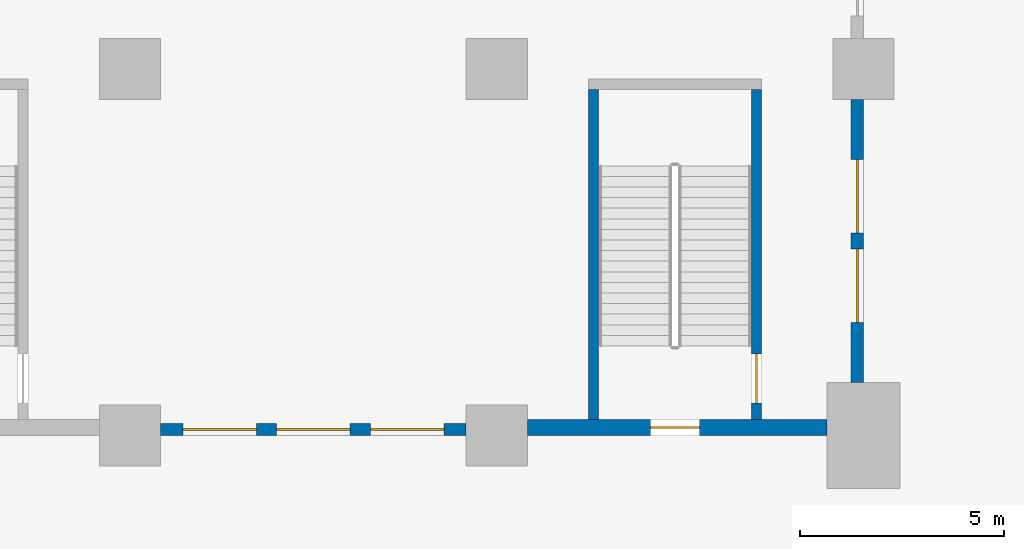
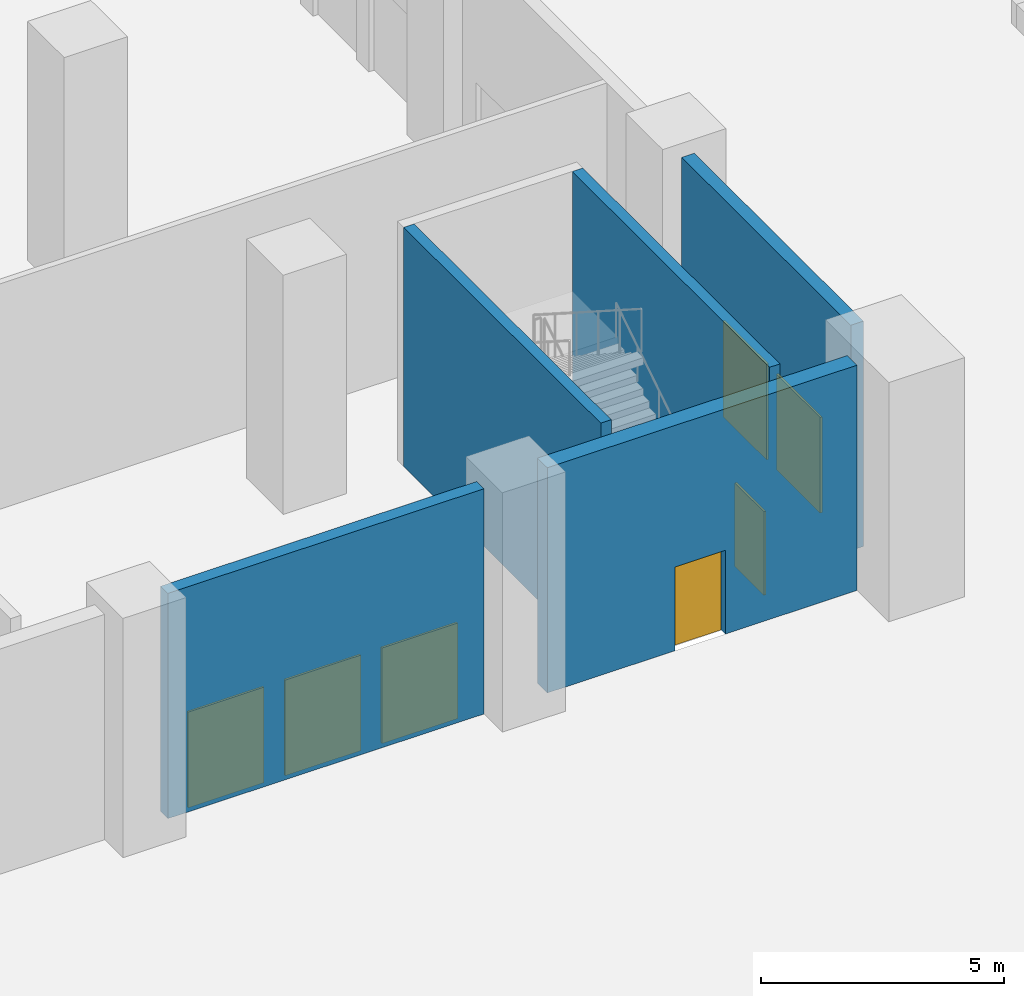
# One storey, part 15 of 47: 7 doors, 5 walls, 7 openings.
"""IFC4 building model written with IfcOpenShell, lengths in metres."""

from ifc_helpers import new_model, si_unit, direction, frame, frame_2d, origin, place, context, subcontext, project, spatial, rectangle, extrude, material, layer, layer_set, type_object, element, fill, save


model = new_model("IFC4")

# Units and contexts
model_context = context("Model", 3, precision=1e-05, world=origin(), true_north=direction((0.0, 1.0)))
body_context = subcontext(model_context, "Body", "Model", "MODEL_VIEW")
ifc_project = project(units=[si_unit("LENGTHUNIT", "METRE"), si_unit("AREAUNIT", "SQUARE_METRE"), si_unit("VOLUMEUNIT", "CUBIC_METRE"), si_unit("PLANEANGLEUNIT", "RADIAN"), si_unit("MASSUNIT", "GRAM", prefix="KILO")], contexts=[model_context])

# Site, building, storey
site_placement = place(None, origin())
site = spatial("IfcSite", under=ifc_project, at=site_placement, CompositionType="ELEMENT")
building_placement = place(site_placement, origin())
building = spatial("IfcBuilding", under=site, at=building_placement, Name="Hunhe Ridgeline Campus", CompositionType="ELEMENT")
storey_placement = place(building_placement, origin())
storey = spatial("IfcBuildingStorey", under=building, at=storey_placement, Name="L00", CompositionType="ELEMENT", Elevation=0.0)

# Wall, openings, doors
ifc_material_1 = material(Name="Concrete C40", Category="concrete")
ifc_layer_1 = layer(ifc_material_1, 0.300048828125)
ifc_layer_set_1 = layer_set([ifc_layer_1], Name="External concrete wall 300 C40")
wall_type_1 = type_object("IfcWallType", Name="External concrete wall 300 C40", PredefinedType="SOLIDWALL", material=ifc_layer_set_1)
wall_1_placement = place(storey_placement, frame((80.25, 18.14990234375, 0.0), z_axis=(0.0, 0.0, 1.0), x_axis=(-1.0, 0.0, 0.0)))
wall_1 = element("IfcWall", 1, at=wall_1_placement, inside=storey, type_object=wall_type_1, Name="L00 entrance wall", PredefinedType="SOLIDWALL", context=body_context, shape_type="SweptSolid", body=[
    extrude(rectangle(XDim=7.5, YDim=0.300048828125, at=frame_2d((3.75, 0.0))), origin(), (0.0, 0.0, 1.0), 5.64990234375),
])
opening_1_placement = place(wall_1_placement, frame((0.550048828125, 0.0, 0.0)))
opening_1 = element("IfcOpeningElement", 2, at=opening_1_placement, cuts=wall_1, Name="Opening XD23", PredefinedType="OPENING", context=body_context, shape_type="SweptSolid", body=[
    extrude(rectangle(XDim=1.800048828125, YDim=2.39990234375, at=frame_2d((0.89990234375, 1.199951171875))), frame((0.0, 0.14990234375, 0.0), z_axis=(0.0, -1.0, 0.0), x_axis=(1.0, 0.0, 0.0)), (0.0, 0.0, 1.0), 0.300048828125),
])
opening_2_placement = place(wall_1_placement, frame((2.85009765625, 0.0, 0.0)))
opening_2 = element("IfcOpeningElement", 3, at=opening_2_placement, cuts=wall_1, Name="Opening XD24", PredefinedType="OPENING", context=body_context, shape_type="SweptSolid", body=[
    extrude(rectangle(XDim=1.800048828125, YDim=2.39990234375, at=frame_2d((0.89990234375, 1.199951171875))), frame((0.0, 0.14990234375, 0.0), z_axis=(0.0, -1.0, 0.0), x_axis=(1.0, 0.0, 0.0)), (0.0, 0.0, 1.0), 0.300048828125),
])
opening_3_placement = place(wall_1_placement, frame((5.14990234375, 0.0, 0.0)))
opening_3 = element("IfcOpeningElement", 4, at=opening_3_placement, cuts=wall_1, Name="Opening XD25", PredefinedType="OPENING", context=body_context, shape_type="SweptSolid", body=[
    extrude(rectangle(XDim=1.800048828125, YDim=2.39990234375, at=frame_2d((0.89990234375, 1.199951171875))), frame((0.0, 0.14990234375, 0.0), z_axis=(0.0, -1.0, 0.0), x_axis=(1.0, 0.0, 0.0)), (0.0, 0.0, 1.0), 0.300048828125),
])
ifc_material_2 = material(Name="Aluminium and glass", Category="aluminium")
door_type_1 = type_object("IfcDoorType", Name="Podium glazed entrance door 1800x2400", OperationType="NOTDEFINED", PredefinedType="DOOR", material=ifc_material_2)
door_1_placement = place(opening_1_placement, origin())
door_1 = element("IfcDoor", 5, at=door_1_placement, inside=storey, type_object=door_type_1, Name="Entrance door XD23", OperationType="DOUBLE_DOOR_SINGLE_SWING", OverallHeight=2.39990234375, OverallWidth=1.800048828125, PredefinedType="DOOR", context=body_context, shape_type="SweptSolid", body=[
    extrude(rectangle(XDim=1.800048828125, YDim=2.39990234375, at=frame_2d((0.89990234375, 1.199951171875))), frame((0.0, 0.02490234375, 0.0), z_axis=(0.0, -1.0, 0.0), x_axis=(1.0, 0.0, 0.0)), (0.0, 0.0, 1.0), 0.050048828125),
])
fill(opening_1, door_1)
door_2_placement = place(opening_2_placement, origin())
door_2 = element("IfcDoor", 6, at=door_2_placement, inside=storey, type_object=door_type_1, Name="Entrance door XD24", OperationType="DOUBLE_DOOR_SINGLE_SWING", OverallHeight=2.39990234375, OverallWidth=1.800048828125, PredefinedType="DOOR", context=body_context, shape_type="SweptSolid", body=[
    extrude(rectangle(XDim=1.800048828125, YDim=2.39990234375, at=frame_2d((0.89990234375, 1.199951171875))), frame((0.0, 0.02490234375, 0.0), z_axis=(0.0, -1.0, 0.0), x_axis=(1.0, 0.0, 0.0)), (0.0, 0.0, 1.0), 0.050048828125),
])
fill(opening_2, door_2)
door_3_placement = place(opening_3_placement, origin())
door_3 = element("IfcDoor", 7, at=door_3_placement, inside=storey, type_object=door_type_1, Name="Entrance door XD25", OperationType="DOUBLE_DOOR_SINGLE_SWING", OverallHeight=2.39990234375, OverallWidth=1.800048828125, PredefinedType="DOOR", context=body_context, shape_type="SweptSolid", body=[
    extrude(rectangle(XDim=1.800048828125, YDim=2.39990234375, at=frame_2d((0.89990234375, 1.199951171875))), frame((0.0, 0.02490234375, 0.0), z_axis=(0.0, -1.0, 0.0), x_axis=(1.0, 0.0, 0.0)), (0.0, 0.0, 1.0), 0.050048828125),
])
fill(opening_3, door_3)

wall_2_placement = place(storey_placement, frame((89.85009765625, 26.25, 0.0), z_axis=(0.0, 0.0, 1.0), x_axis=(0.0, -1.0, 0.0)))
wall_2 = element("IfcWall", 8, at=wall_2_placement, inside=storey, type_object=wall_type_1, Name="L00 entrance wall", PredefinedType="SOLIDWALL", context=body_context, shape_type="SweptSolid", body=[
    extrude(rectangle(XDim=6.949951171875, YDim=0.300048828125, at=frame_2d((3.47509765625, 0.0))), origin(), (0.0, 0.0, 1.0), 5.64990234375),
])
opening_4_placement = place(wall_2_placement, frame((1.47509765625, 0.0, 0.0)))
opening_4 = element("IfcOpeningElement", 9, at=opening_4_placement, cuts=wall_2, Name="Opening XD27", PredefinedType="OPENING", context=body_context, shape_type="SweptSolid", body=[
    extrude(rectangle(XDim=1.800048828125, YDim=2.39990234375, at=frame_2d((0.89990234375, 1.199951171875))), frame((0.0, 0.14990234375, 0.0), z_axis=(0.0, -1.0, 0.0), x_axis=(1.0, 0.0, 0.0)), (0.0, 0.0, 1.0), 0.300048828125),
])
opening_5_placement = place(wall_2_placement, frame((3.675048828125, 0.0, 0.0)))
opening_5 = element("IfcOpeningElement", 10, at=opening_5_placement, cuts=wall_2, Name="Opening XD28", PredefinedType="OPENING", context=body_context, shape_type="SweptSolid", body=[
    extrude(rectangle(XDim=1.800048828125, YDim=2.39990234375, at=frame_2d((0.89990234375, 1.199951171875))), frame((0.0, 0.14990234375, 0.0), z_axis=(0.0, -1.0, 0.0), x_axis=(1.0, 0.0, 0.0)), (0.0, 0.0, 1.0), 0.300048828125),
])
door_4_placement = place(opening_4_placement, origin())
door_4 = element("IfcDoor", 11, at=door_4_placement, inside=storey, type_object=door_type_1, Name="Entrance door XD27", OperationType="DOUBLE_DOOR_SINGLE_SWING", OverallHeight=2.39990234375, OverallWidth=1.800048828125, PredefinedType="DOOR", context=body_context, shape_type="SweptSolid", body=[
    extrude(rectangle(XDim=1.800048828125, YDim=2.39990234375, at=frame_2d((0.89990234375, 1.199951171875))), frame((0.0, 0.02490234375, 0.0), z_axis=(0.0, -1.0, 0.0), x_axis=(1.0, 0.0, 0.0)), (0.0, 0.0, 1.0), 0.050048828125),
])
fill(opening_4, door_4)
door_5_placement = place(opening_5_placement, origin())
door_5 = element("IfcDoor", 12, at=door_5_placement, inside=storey, type_object=door_type_1, Name="Entrance door XD28", OperationType="DOUBLE_DOOR_SINGLE_SWING", OverallHeight=2.39990234375, OverallWidth=1.800048828125, PredefinedType="DOOR", context=body_context, shape_type="SweptSolid", body=[
    extrude(rectangle(XDim=1.800048828125, YDim=2.39990234375, at=frame_2d((0.89990234375, 1.199951171875))), frame((0.0, 0.02490234375, 0.0), z_axis=(0.0, -1.0, 0.0), x_axis=(1.0, 0.0, 0.0)), (0.0, 0.0, 1.0), 0.050048828125),
])
fill(opening_5, door_5)

# Wall, opening, door
ifc_layer_2 = layer(ifc_material_1, 0.39990234375)
ifc_layer_set_2 = layer_set([ifc_layer_2], Name="Stair shaft facade wall 400 C40")
wall_type_2 = type_object("IfcWallType", Name="Stair shaft facade wall 400 C40", PredefinedType="SOLIDWALL", material=ifc_layer_set_2)
wall_3_placement = place(storey_placement, frame((89.10009765625, 18.199951171875, 0.0), z_axis=(0.0, 0.0, 1.0), x_axis=(-1.0, 0.0, 0.0)))
wall_3 = element("IfcWall", 13, at=wall_3_placement, inside=storey, type_object=wall_type_2, Name="L00 stair facade wall", PredefinedType="SOLIDWALL", context=body_context, shape_type="SweptSolid", body=[
    extrude(rectangle(XDim=7.35009765625, YDim=0.39990234375, at=frame_2d((3.675048828125, 0.0))), origin(), (0.0, 0.0, 1.0), 5.64990234375),
])
opening_6_placement = place(wall_3_placement, frame((3.125, 0.0, 0.0)))
opening_6 = element("IfcOpeningElement", 14, at=opening_6_placement, cuts=wall_3, Name="Opening XD26", PredefinedType="OPENING", context=body_context, shape_type="SweptSolid", body=[
    extrude(rectangle(XDim=1.199951171875, YDim=2.10009765625, at=frame_2d((0.60009765625, 1.050048828125))), frame((0.0, 0.199951171875, 0.0), z_axis=(0.0, -1.0, 0.0), x_axis=(1.0, 0.0, 0.0)), (0.0, 0.0, 1.0), 0.39990234375),
])
ifc_material_3 = material(Name="Steel Q235", Category="steel")
door_type_2 = type_object("IfcDoorType", Name="Podium fire door 1200x2100 FD60", OperationType="NOTDEFINED", PredefinedType="DOOR", material=ifc_material_3)
door_6_placement = place(opening_6_placement, origin())
door_6 = element("IfcDoor", 15, at=door_6_placement, inside=storey, type_object=door_type_2, Name="Exit door XD26 PS3", OperationType="SINGLE_SWING_LEFT", OverallHeight=2.10009765625, OverallWidth=1.199951171875, PredefinedType="DOOR", context=body_context, shape_type="SweptSolid", body=[
    extrude(rectangle(XDim=1.199951171875, YDim=2.10009765625, at=frame_2d((0.60009765625, 1.050048828125))), frame((0.0, 0.02490234375, 0.0), z_axis=(0.0, -1.0, 0.0), x_axis=(1.0, 0.0, 0.0)), (0.0, 0.0, 1.0), 0.050048828125),
])
fill(opening_6, door_6)

# Wall
ifc_layer_3 = layer(ifc_material_1, 0.25)
ifc_layer_set_3 = layer_set([ifc_layer_3], Name="Stair shaft wall 250 C40")
wall_type_3 = type_object("IfcWallType", Name="Stair shaft wall 250 C40", PredefinedType="SOLIDWALL", material=ifc_layer_set_3)
wall_4_placement = place(storey_placement, frame((83.375, 18.39990234375, 0.0), z_axis=(0.0, 0.0, 1.0), x_axis=(0.0, 1.0, 0.0)))
element("IfcWall", 16, at=wall_4_placement, inside=storey, type_object=wall_type_3, Name="L00 PS3 shaft wall", PredefinedType="SOLIDWALL", context=body_context, shape_type="SweptSolid", body=[
    extrude(rectangle(XDim=8.10009765625, YDim=0.25, at=frame_2d((4.050048828125, 0.0))), origin(), (0.0, 0.0, 1.0), 6.0),
])

# Wall, opening, door
wall_5_placement = place(storey_placement, frame((87.375, 26.5, 0.0), z_axis=(0.0, 0.0, 1.0), x_axis=(0.0, -1.0, 0.0)))
wall_5 = element("IfcWall", 17, at=wall_5_placement, inside=storey, type_object=wall_type_3, Name="L00 PS3 shaft wall", PredefinedType="SOLIDWALL", context=body_context, shape_type="SweptSolid", body=[
    extrude(rectangle(XDim=8.10009765625, YDim=0.25, at=frame_2d((4.050048828125, 0.0))), origin(), (0.0, 0.0, 1.0), 6.0),
])
opening_7_placement = place(wall_5_placement, frame((6.5, 0.0, 0.0)))
opening_7 = element("IfcOpeningElement", 18, at=opening_7_placement, cuts=wall_5, Name="Opening PD103", PredefinedType="OPENING", context=body_context, shape_type="SweptSolid", body=[
    extrude(rectangle(XDim=1.199951171875, YDim=2.10009765625, at=frame_2d((0.60009765625, 1.050048828125))), frame((0.0, 0.125, 0.0), z_axis=(0.0, -1.0, 0.0), x_axis=(1.0, 0.0, 0.0)), (0.0, 0.0, 1.0), 0.25),
])
door_7_placement = place(opening_7_placement, origin())
door_7 = element("IfcDoor", 19, at=door_7_placement, inside=storey, type_object=door_type_2, Name="Stair door PS3", OperationType="SINGLE_SWING_LEFT", OverallHeight=2.10009765625, OverallWidth=1.199951171875, PredefinedType="DOOR", context=body_context, shape_type="SweptSolid", body=[
    extrude(rectangle(XDim=1.199951171875, YDim=2.10009765625, at=frame_2d((0.60009765625, 1.050048828125))), frame((0.0, 0.02490234375, 0.0), z_axis=(0.0, -1.0, 0.0), x_axis=(1.0, 0.0, 0.0)), (0.0, 0.0, 1.0), 0.050048828125),
])
fill(opening_7, door_7)

save(model, "model.ifc")
